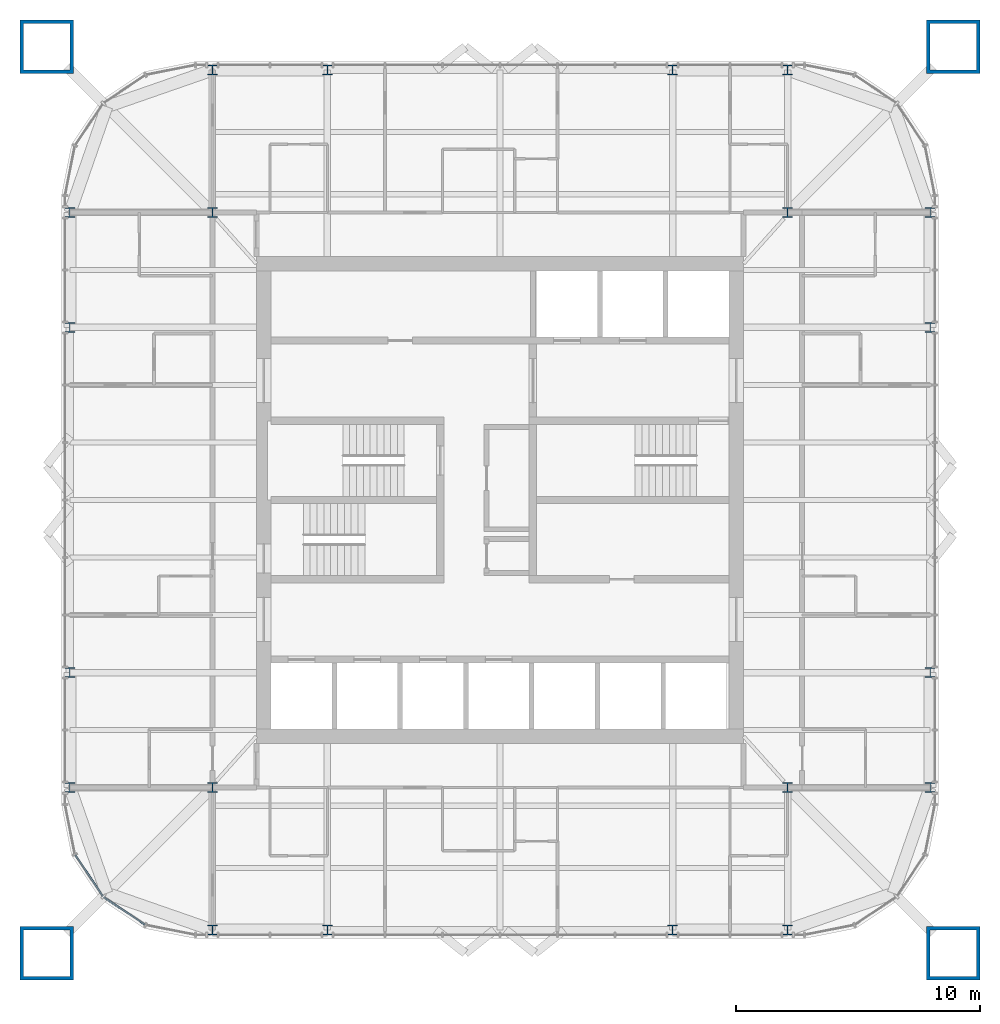
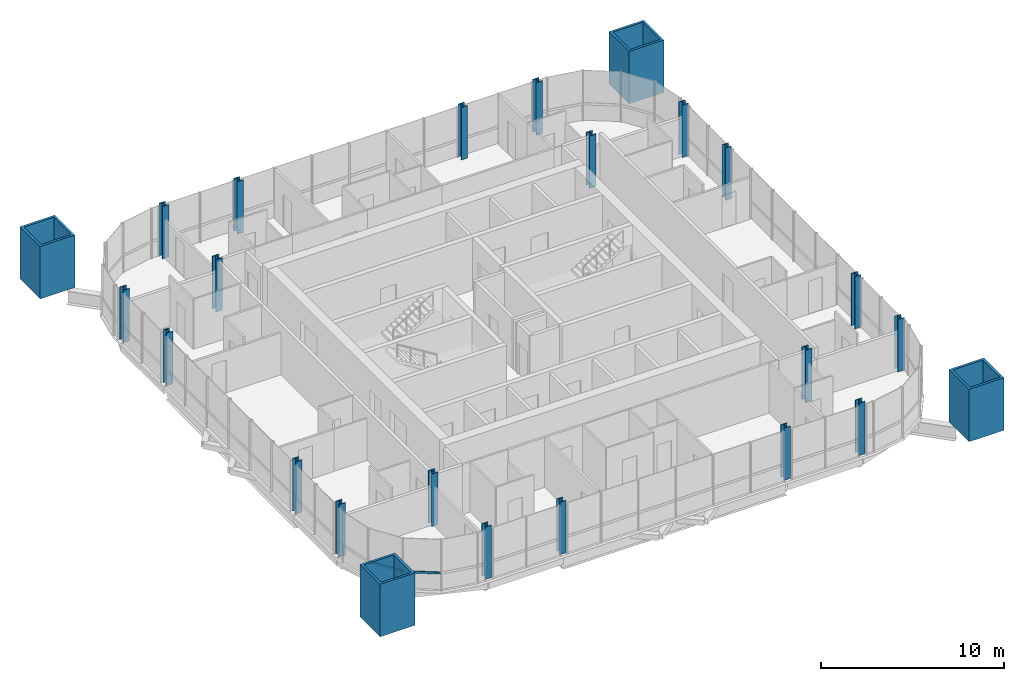
# One storey, part 1 of 17: 24 columns, 2 members, 1 element without a shape of its own.
"""IFC4 building model written with IfcOpenShell, lengths in metres."""

from ifc_helpers import new_model, si_unit, direction, frame, origin, origin_2d, place, context, subcontext, project, spatial, rectangle, hollow_rectangle, i_section, extrude, material, material_profile, profile_set, type_object, element, aggregate, save


model = new_model("IFC4")

# Units and contexts
model_context = context("Model", 3, precision=1e-05, world=origin(), true_north=direction((0.0, 1.0)))
body_context = subcontext(model_context, "Body", "Model", "MODEL_VIEW")
ifc_project = project(units=[si_unit("LENGTHUNIT", "METRE"), si_unit("AREAUNIT", "SQUARE_METRE"), si_unit("VOLUMEUNIT", "CUBIC_METRE"), si_unit("PLANEANGLEUNIT", "RADIAN"), si_unit("MASSUNIT", "GRAM", prefix="KILO")], contexts=[model_context])

# Site, building, storey
site_placement = place(None, origin())
site = spatial("IfcSite", under=ifc_project, at=site_placement, CompositionType="ELEMENT")
building_placement = place(site_placement, origin())
building = spatial("IfcBuilding", under=site, at=building_placement, Name="Turquesa Mirador Hotel Tower", CompositionType="ELEMENT")
storey_placement = place(building_placement, frame((0.0, 0.0, 251.199951171875)))
storey = spatial("IfcBuildingStorey", under=building, at=storey_placement, Name="L68", CompositionType="ELEMENT", Elevation=251.199951171875)

# Columns
ifc_material_1 = material(Name="Steel ASTM A992 Grade 50", Category="steel")
ifc_material_profile_1 = material_profile(ifc_material_1, i_section(OverallWidth=0.398681640625, OverallDepth=0.393798828125, WebThickness=0.022705078125, FlangeThickness=0.03662109375, at=origin_2d()), Name="W14X193")
ifc_profile_set_1 = profile_set([ifc_material_profile_1], Name="Steel ASTM A992 Grade 50")
column_type_1 = type_object("IfcColumnType", Name="COLUMN W14X193", PredefinedType="COLUMN", material=ifc_profile_set_1)
for number, where, z_axis, x_axis, name in (
    (1, (37.35009765625, 33.199951171875, 0.0), (0.0, 0.0, 1.0), (1.0, 0.0, 0.0), "COL-L68-P--17.65--11.80"),
    (2, (37.35009765625, 37.919921875, 0.0), (0.0, 0.0, 1.0), (1.0, 0.0, 0.0), "COL-L68-P--17.65--7.08"),
    (3, (37.35009765625, 52.080078125, 0.0), (0.0, 0.0, 1.0), (1.0, 0.0, 0.0), "COL-L68-P--17.65-+7.08"),
    (4, (37.35009765625, 56.800048828125, 0.0), (0.0, 0.0, 1.0), (1.0, 0.0, 0.0), "COL-L68-P--17.65-+11.80"),
    (5, (43.199951171875, 27.35009765625, 0.0), (0.0, 0.0, 1.0), (1.0, 0.0, 0.0), "COL-L68-P--11.80--17.65"),
    (6, (43.199951171875, 62.64990234375, 0.0), (0.0, 0.0, 1.0), (1.0, 0.0, 0.0), "COL-L68-P--11.80-+17.65"),
    (7, (47.919921875, 27.35009765625, 0.0), (0.0, 0.0, 1.0), (1.0, 0.0, 0.0), "COL-L68-P--7.08--17.65"),
    (8, (47.919921875, 62.64990234375, 0.0), (0.0, 0.0, 1.0), (1.0, 0.0, 0.0), "COL-L68-P--7.08-+17.65"),
    (9, (62.080078125, 27.35009765625, 0.0), (0.0, 0.0, 1.0), (1.0, 0.0, 0.0), "COL-L68-P-+7.08--17.65"),
    (10, (62.080078125, 62.64990234375, 0.0), (0.0, 0.0, 1.0), (1.0, 0.0, 0.0), "COL-L68-P-+7.08-+17.65"),
    (11, (66.800048828125, 27.35009765625, 0.0), (0.0, 0.0, 1.0), (1.0, 0.0, 0.0), "COL-L68-P-+11.80--17.65"),
    (12, (66.800048828125, 62.64990234375, 0.0), (0.0, 0.0, 1.0), (1.0, 0.0, 0.0), "COL-L68-P-+11.80-+17.65"),
    (13, (72.64990234375, 33.199951171875, 0.0), (0.0, 0.0, 1.0), (1.0, 0.0, 0.0), "COL-L68-P-+17.65--11.80"),
    (14, (72.64990234375, 37.919921875, 0.0), (0.0, 0.0, 1.0), (1.0, 0.0, 0.0), "COL-L68-P-+17.65--7.08"),
    (15, (72.64990234375, 52.080078125, 0.0), (0.0, 0.0, 1.0), (1.0, 0.0, 0.0), "COL-L68-P-+17.65-+7.08"),
    (16, (72.64990234375, 56.800048828125, 0.0), (0.0, 0.0, 1.0), (1.0, 0.0, 0.0), "COL-L68-P-+17.65-+11.80"),
):
    element("IfcColumn", number, at=place(storey_placement, frame(where, z_axis=z_axis, x_axis=x_axis)), inside=storey, type_object=column_type_1, Name=name, PredefinedType="COLUMN", context=body_context, shape_type="SweptSolid", body=[
        extrude(i_section(OverallWidth=0.398681640625, OverallDepth=0.393798828125, WebThickness=0.022705078125, FlangeThickness=0.03662109375, at=origin_2d()), origin(), (0.0, 0.0, 1.0), 3.5),
    ])
ifc_material_2 = material(Name="Steel ASTM A992 Grade 50", Category="steel")
ifc_material_profile_2 = material_profile(ifc_material_2, i_section(OverallWidth=0.406494140625, OverallDepth=0.41650390625, WebThickness=0.030029296875, FlangeThickness=0.048095703125, at=origin_2d()), Name="W14X257")
ifc_profile_set_2 = profile_set([ifc_material_profile_2], Name="Steel ASTM A992 Grade 50")
column_type_2 = type_object("IfcColumnType", Name="COLUMN W14X257", PredefinedType="COLUMN", material=ifc_profile_set_2)
for number, where, z_axis, x_axis, name in (
    (17, (43.199951171875, 33.199951171875, 0.0), (0.0, 0.0, 1.0), (1.0, 0.0, 0.0), "COL-L68-K--11.80--11.80"),
    (18, (43.199951171875, 56.800048828125, 0.0), (0.0, 0.0, 1.0), (1.0, 0.0, 0.0), "COL-L68-K--11.80-+11.80"),
    (19, (66.800048828125, 33.199951171875, 0.0), (0.0, 0.0, 1.0), (1.0, 0.0, 0.0), "COL-L68-K-+11.80--11.80"),
    (20, (66.800048828125, 56.800048828125, 0.0), (0.0, 0.0, 1.0), (1.0, 0.0, 0.0), "COL-L68-K-+11.80-+11.80"),
):
    element("IfcColumn", number, at=place(storey_placement, frame(where, z_axis=z_axis, x_axis=x_axis)), inside=storey, type_object=column_type_2, Name=name, PredefinedType="COLUMN", context=body_context, shape_type="SweptSolid", body=[
        extrude(i_section(OverallWidth=0.406494140625, OverallDepth=0.41650390625, WebThickness=0.030029296875, FlangeThickness=0.048095703125, at=origin_2d()), origin(), (0.0, 0.0, 1.0), 3.5),
    ])
ifc_material_3 = material(Name="Steel ASTM A514 Grade Q", Category="steel")
ifc_material_profile_3 = material_profile(ifc_material_3, hollow_rectangle(XDim=2.199951171875, YDim=2.199951171875, WallThickness=0.14990234375, at=origin_2d()), Name="BOX2200X2200X150")
ifc_profile_set_3 = profile_set([ifc_material_profile_3], Name="Steel ASTM A514 Grade Q")
column_type_3 = type_object("IfcColumnType", Name="MEGA COLUMN BOX2200X2200X150", PredefinedType="COLUMN", material=ifc_profile_set_3)
for number, where, z_axis, x_axis, name in (
    (21, (73.60009765625, 63.60009765625, 0.0), (0.0, 0.0, 1.0), (1.0, 0.0, 0.0), "Mega column M1"),
    (22, (36.39990234375, 63.60009765625, 0.0), (0.0, 0.0, 1.0), (1.0, 0.0, 0.0), "Mega column M2"),
    (23, (36.39990234375, 26.39990234375, 0.0), (0.0, 0.0, 1.0), (1.0, 0.0, 0.0), "Mega column M3"),
    (24, (73.60009765625, 26.39990234375, 0.0), (0.0, 0.0, 1.0), (1.0, 0.0, 0.0), "Mega column M4"),
):
    element("IfcColumn", number, at=place(storey_placement, frame(where, z_axis=z_axis, x_axis=x_axis)), inside=storey, type_object=column_type_3, Name=name, PredefinedType="COLUMN", context=body_context, shape_type="SweptSolid", body=[
        extrude(hollow_rectangle(XDim=2.199951171875, YDim=2.199951171875, WallThickness=0.14990234375, at=origin_2d()), origin(), (0.0, 0.0, 1.0), 3.5),
    ])

# Curtain wall, members
ifc_material_4 = material(Name="Aluminium extrusion", Category="aluminium")
curtain_wall_type = type_object("IfcCurtainWallType", Name="CW-4 SUITE FRITTED CURTAIN WALL", PredefinedType="USERDEFINED", material=ifc_material_4)
curtain_wall_placement = place(storey_placement, origin())
curtain_wall = element("IfcCurtainWall", 25, at=curtain_wall_placement, inside=storey, type_object=curtain_wall_type, Name="CW-4 SUITE FRITTED CURTAIN WALL L68", ObjectType="CURTAIN WALL", PredefinedType="USERDEFINED")
ifc_material_5 = material(Name="Aluminium extrusion", Category="aluminium")
ifc_material_profile_4 = material_profile(ifc_material_5, rectangle(XDim=0.06494140625, YDim=0.14990234375, at=origin_2d()), Name="TRANSOM 65X150")
ifc_profile_set_4 = profile_set([ifc_material_profile_4], Name="Aluminium extrusion")
member_type = type_object("IfcMemberType", Name="CW TRANSOM 65X150", PredefinedType="USERDEFINED", material=ifc_profile_set_4)
member_1_placement = place(storey_placement, frame((37.5751953125, 30.425537109375, 1.10009765625), z_axis=(0.555619095835, -0.831436961136, 0.0), x_axis=(0.831436961136, 0.555619095835, 0.0)))
member_1 = element("IfcMember", 26, at=member_1_placement, type_object=member_type, Name="Transom", ObjectType="TRANSOM", PredefinedType="USERDEFINED", context=body_context, shape_type="SweptSolid", body=[
    extrude(rectangle(XDim=0.06494140625, YDim=0.14990234375, at=origin_2d()), origin(), (0.0, 0.0, 1.0), 2.0224609375),
])
member_2_placement = place(storey_placement, frame((38.743896484375, 28.698974609375, 1.10009765625), z_axis=(0.831436961136, -0.555619095835, 0.0), x_axis=(0.555619095835, 0.831436961136, 0.0)))
member_2 = element("IfcMember", 27, at=member_2_placement, type_object=member_type, Name="Transom", ObjectType="TRANSOM", PredefinedType="USERDEFINED", context=body_context, shape_type="SweptSolid", body=[
    extrude(rectangle(XDim=0.06494140625, YDim=0.14990234375, at=origin_2d()), origin(), (0.0, 0.0, 1.0), 2.0224609375),
])
aggregate(curtain_wall, [member_1, member_2])

save(model, "model.ifc")
